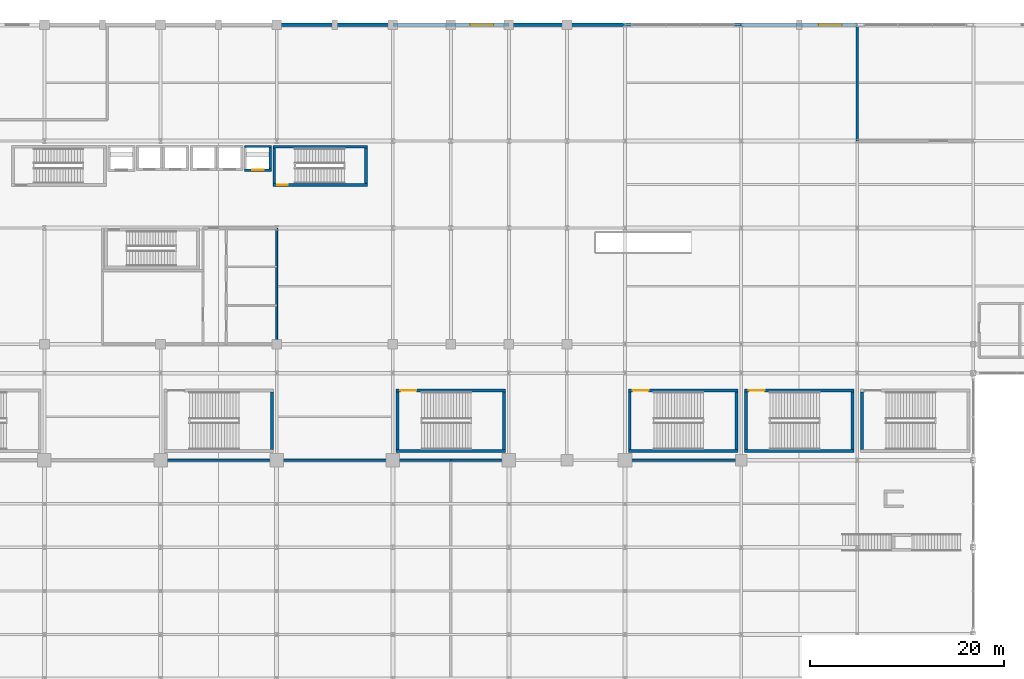
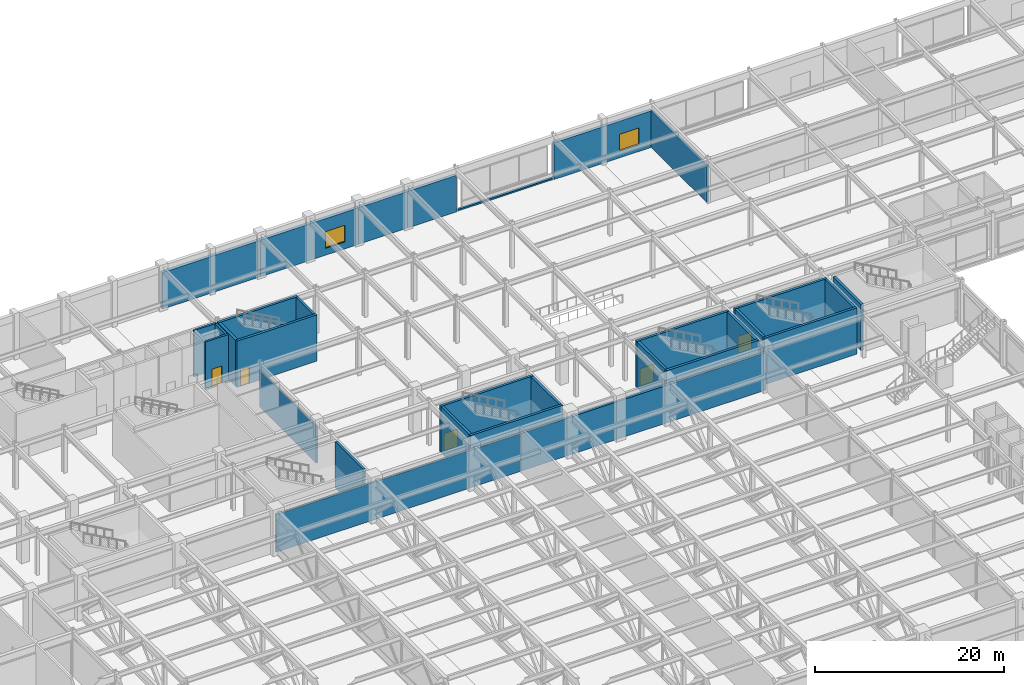
# One storey, part 94 of 108: 31 walls, 5 doors, 2 windows, 7 openings.
"""IFC4 building model written with IfcOpenShell, lengths in metres."""

from ifc_helpers import new_model, si_unit, direction, frame, frame_2d, origin, place, context, subcontext, project, spatial, rectangle, extrude, material, layer, layer_set, type_object, element, fill, save


model = new_model("IFC4")

# Units and contexts
model_context = context("Model", 3, precision=1e-05, world=origin(), true_north=direction((0.0, 1.0)))
body_context = subcontext(model_context, "Body", "Model", "MODEL_VIEW")
ifc_project = project(units=[si_unit("LENGTHUNIT", "METRE"), si_unit("AREAUNIT", "SQUARE_METRE"), si_unit("VOLUMEUNIT", "CUBIC_METRE"), si_unit("PLANEANGLEUNIT", "RADIAN"), si_unit("MASSUNIT", "GRAM", prefix="KILO")], contexts=[model_context])

# Site, building, storey
site_placement = place(None, origin())
site = spatial("IfcSite", under=ifc_project, at=site_placement, CompositionType="ELEMENT")
building_placement = place(site_placement, origin())
building = spatial("IfcBuilding", under=site, at=building_placement, Name="Kaldorvane Square Convention Centre", CompositionType="ELEMENT")
storey_placement = place(building_placement, frame((0.0, 0.0, 12.0)))
storey = spatial("IfcBuildingStorey", under=building, at=storey_placement, Name="L02", CompositionType="ELEMENT", Elevation=12.0)

# Walls
ifc_material_1 = material(Name="Reinforced Concrete Masonry Acoustic Partition", Category="masonry")
ifc_layer_1 = layer(ifc_material_1, 0.2400054931640625)
ifc_layer_set_1 = layer_set([ifc_layer_1], Name="Reinforced Concrete Masonry Acoustic Partition")
wall_type_1 = type_object("IfcWallType", Name="WL-ACO-240", PredefinedType="PARTITIONING", material=ifc_layer_set_1)
wall_1_placement = place(storey_placement, frame((126.0, 116.80999755859375, 0.0), z_axis=(0.0, 0.0, 1.0), x_axis=(0.0, -1.0, 0.0)))
element("IfcWall", 1, at=wall_1_placement, inside=storey, type_object=wall_type_1, Name="Meeting Room 209 W Wall", PredefinedType="PARTITIONING", context=body_context, shape_type="SweptSolid", body=[
    extrude(rectangle(XDim=11.80999755859375, YDim=0.2400054931640625, at=frame_2d((5.904998779296875, 0.0))), origin(), (0.0, 0.0, 1.0), 4.8000030517578125),
])
ifc_layer_2 = layer(ifc_material_1, 0.279998779296875)
ifc_layer_set_2 = layer_set([ifc_layer_2], Name="Reinforced Concrete Masonry Acoustic Partition")
wall_type_2 = type_object("IfcWallType", Name="WL-ACO-280", PredefinedType="PARTITIONING", material=ifc_layer_set_2)
for number, where, z_axis, x_axis, name in (
    (2, (84.0, 72.0, 0.0), (0.0, 0.0, 1.0), (-1.0, 0.0, 0.0), "Central Transfer Truss Interstitial Mechanical Plenum N Wall"),
    (3, (114.0, 72.0, 0.0), (0.0, 0.0, 1.0), (-1.0, 0.0, 0.0), "East Transfer Truss Interstitial Mechanical Plenum N Wall"),
):
    element("IfcWall", number, at=place(storey_placement, frame(where, z_axis=z_axis, x_axis=x_axis)), inside=storey, type_object=wall_type_2, Name=name, PredefinedType="PARTITIONING", context=body_context, shape_type="SweptSolid", body=[
        extrude(rectangle(XDim=30.0, YDim=0.279998779296875, at=frame_2d((15.0, 0.0))), origin(), (0.0, 0.0, 1.0), 4.8719940185546875),
    ])
ifc_material_2 = material(Name="Fire-Rated Gypsum Board on Acoustic Steel Studs", Category="steel")
ifc_layer_3 = layer(ifc_material_2, 0.1999969482421875)
ifc_layer_set_3 = layer_set([ifc_layer_3], Name="Fire-Rated Gypsum Board on Acoustic Steel Studs")
wall_type_3 = type_object("IfcWallType", Name="WL-CORR-200", PredefinedType="PARTITIONING", material=ifc_layer_set_3)
wall_2_placement = place(storey_placement, frame((66.0, 84.0, 0.0), z_axis=(0.0, 0.0, 1.0), x_axis=(0.0, 1.0, 0.0)))
element("IfcWall", 4, at=wall_2_placement, inside=storey, type_object=wall_type_3, Name="Restroom East Wall (L02)", PredefinedType="PARTITIONING", context=body_context, shape_type="SweptSolid", body=[
    extrude(rectangle(XDim=12.0, YDim=0.1999969482421875, at=frame_2d((6.0, 0.0))), origin(), (0.0, 0.0, 1.0), 4.8000030517578125),
])
ifc_material_3 = material(Name="Concrete f'c = 42 MPa (Normalweight)", Category="concrete")
ifc_layer_4 = layer(ifc_material_3, 0.3800048828125)
ifc_layer_set_4 = layer_set([ifc_layer_4], Name="Concrete f'c = 42 MPa (Normalweight)")
wall_type_4 = type_object("IfcWallType", Name="WL-EXT-380", PredefinedType="STANDARD", material=ifc_layer_set_4)
wall_3_placement = place(storey_placement, frame((78.0, 117.0, 0.0), z_axis=(0.0, 0.0, 1.0), x_axis=(-1.0, 0.0, 0.0)))
element("IfcWall", 5, at=wall_3_placement, inside=storey, type_object=wall_type_4, Name="North Square Brutalist Facade Wall (L02)", PredefinedType="STANDARD", context=body_context, shape_type="SweptSolid", body=[
    extrude(rectangle(XDim=12.0, YDim=0.3800048828125, at=frame_2d((6.0, 0.0))), origin(), (0.0, 0.0, 1.0), 4.746002197265625),
])

# Wall, opening, window
wall_4_placement = place(storey_placement, frame((90.0, 117.0, 0.0), z_axis=(0.0, 0.0, 1.0), x_axis=(-1.0, 0.0, 0.0)))
wall_4 = element("IfcWall", 6, at=wall_4_placement, inside=storey, type_object=wall_type_4, Name="North Square Brutalist Facade Wall (L02)", PredefinedType="STANDARD", context=body_context, shape_type="SweptSolid", body=[
    extrude(rectangle(XDim=12.0, YDim=0.3800048828125, at=frame_2d((6.0, 0.0))), origin(), (0.0, 0.0, 1.0), 4.746002197265625),
])
opening_1_placement = place(wall_4_placement, frame((1.600006103515625, 0.0, 0.899993896484375)))
opening_1 = element("IfcOpeningElement", 7, at=opening_1_placement, cuts=wall_4, Name="Opening W-19", PredefinedType="OPENING", context=body_context, shape_type="SweptSolid", body=[
    extrude(rectangle(XDim=2.399993896484375, YDim=2.149993896484375, at=frame_2d((1.1999969482421875, 1.0749969482421875))), frame((0.0, 0.2050018310546875, 0.0), z_axis=(0.0, -1.0, 0.0), x_axis=(1.0, 0.0, 0.0)), (0.0, 0.0, 1.0), 0.410003662109375),
])
ifc_material_4 = material(Name="Anodized Aluminum and Low-E Insulated Glazing", Category="aluminium")
window_type = type_object("IfcWindowType", Name="WN-POD-2400X2150", PartitioningType="DOUBLE_PANEL_VERTICAL", PredefinedType="WINDOW", material=ifc_material_4)
window_1_placement = place(opening_1_placement, origin())
window_1 = element("IfcWindow", 8, at=window_1_placement, inside=storey, type_object=window_type, Name="North Facade Window (L02)", OverallHeight=2.149993896484375, OverallWidth=2.399993896484375, PartitioningType="DOUBLE_PANEL_VERTICAL", PredefinedType="WINDOW", context=body_context, shape_type="SweptSolid", body=[
    extrude(rectangle(XDim=2.399993896484375, YDim=2.149993896484375, at=frame_2d((1.1999969482421875, 1.0749969482421875))), frame((0.0, 0.029998779296875, 0.0), z_axis=(0.0, -1.0, 0.0), x_axis=(1.0, 0.0, 0.0)), (0.0, 0.0, 1.0), 0.05999755859375),
])
fill(opening_1, window_1)

# Walls
for number, where, z_axis, x_axis, name in (
    (9, (96.0, 117.0, 0.0), (0.0, 0.0, 1.0), (-1.0, 0.0, 0.0), "North Square Brutalist Facade Wall (L02)"),
    (10, (102.0, 117.0, 0.0), (0.0, 0.0, 1.0), (-1.0, 0.0, 0.0), "North Square Brutalist Facade Wall (L02)"),
):
    element("IfcWall", number, at=place(storey_placement, frame(where, z_axis=z_axis, x_axis=x_axis)), inside=storey, type_object=wall_type_4, Name=name, PredefinedType="STANDARD", context=body_context, shape_type="SweptSolid", body=[
        extrude(rectangle(XDim=6.0, YDim=0.3800048828125, at=frame_2d((3.0, 0.0))), origin(), (0.0, 0.0, 1.0), 4.746002197265625),
    ])

# Wall, opening, window
wall_5_placement = place(storey_placement, frame((126.0, 117.0, 0.0), z_axis=(0.0, 0.0, 1.0), x_axis=(-1.0, 0.0, 0.0)))
wall_5 = element("IfcWall", 11, at=wall_5_placement, inside=storey, type_object=wall_type_4, Name="North Square Brutalist Facade Wall (L02)", PredefinedType="STANDARD", context=body_context, shape_type="SweptSolid", body=[
    extrude(rectangle(XDim=12.0, YDim=0.3800048828125, at=frame_2d((6.0, 0.0))), origin(), (0.0, 0.0, 1.0), 4.746002197265625),
])
opening_2_placement = place(wall_5_placement, frame((1.600006103515625, 0.0, 0.899993896484375)))
opening_2 = element("IfcOpeningElement", 12, at=opening_2_placement, cuts=wall_5, Name="Opening W-19", PredefinedType="OPENING", context=body_context, shape_type="SweptSolid", body=[
    extrude(rectangle(XDim=2.399993896484375, YDim=2.149993896484375, at=frame_2d((1.1999969482421875, 1.0749969482421875))), frame((0.0, 0.2050018310546875, 0.0), z_axis=(0.0, -1.0, 0.0), x_axis=(1.0, 0.0, 0.0)), (0.0, 0.0, 1.0), 0.410003662109375),
])
window_2_placement = place(opening_2_placement, origin())
window_2 = element("IfcWindow", 13, at=window_2_placement, inside=storey, type_object=window_type, Name="North Facade Window (L02)", OverallHeight=2.149993896484375, OverallWidth=2.399993896484375, PartitioningType="DOUBLE_PANEL_VERTICAL", PredefinedType="WINDOW", context=body_context, shape_type="SweptSolid", body=[
    extrude(rectangle(XDim=2.399993896484375, YDim=2.149993896484375, at=frame_2d((1.1999969482421875, 1.0749969482421875))), frame((0.0, 0.029998779296875, 0.0), z_axis=(0.0, -1.0, 0.0), x_axis=(1.0, 0.0, 0.0)), (0.0, 0.0, 1.0), 0.05999755859375),
])
fill(opening_2, window_2)

# Wall
ifc_material_5 = material(Name="Concrete f'c = 35 MPa (Normalweight)", Category="concrete")
ifc_layer_5 = layer(ifc_material_5, 0.279998779296875)
ifc_layer_set_5 = layer_set([ifc_layer_5], Name="Concrete f'c = 35 MPa (Normalweight)")
wall_type_5 = type_object("IfcWallType", Name="WL-PAR-280", PredefinedType="PARAPET", material=ifc_layer_set_5)
wall_6_placement = place(storey_placement, frame((114.0, 117.0, 0.0), z_axis=(0.0, 0.0, 1.0), x_axis=(-1.0, 0.0, 0.0)))
element("IfcWall", 14, at=wall_6_placement, inside=storey, type_object=wall_type_5, Name="North Curtain-Wall Sill Kerb (L02)", PredefinedType="PARAPET", context=body_context, shape_type="SweptSolid", body=[
    extrude(rectangle(XDim=12.0, YDim=0.279998779296875, at=frame_2d((6.0, 0.0))), origin(), (0.0, 0.0, 1.0), 0.1999969482421875),
])

# Wall, opening, door
ifc_material_6 = material(Name="Concrete f'c = 55 MPa (Normalweight)", Category="concrete")
ifc_layer_6 = layer(ifc_material_6, 0.3000030517578125)
ifc_layer_set_6 = layer_set([ifc_layer_6], Name="Concrete f'c = 55 MPa (Normalweight)")
wall_type_6 = type_object("IfcWallType", Name="WL-SHAFT-300", PredefinedType="SHEAR", material=ifc_layer_set_6)
wall_7_placement = place(storey_placement, frame((65.60000610351562, 100.46000671386719, 0.0), z_axis=(0.0, 0.0, 1.0), x_axis=(1.0, 0.0, 0.0)))
wall_7 = element("IfcWall", 15, at=wall_7_placement, inside=storey, type_object=wall_type_6, Name="Core Enclosure Wall stair:ST-T2-S (L02)", PredefinedType="SHEAR", context=body_context, shape_type="SweptSolid", body=[
    extrude(rectangle(XDim=9.79998779296875, YDim=0.3000030517578125, at=frame_2d((4.899993896484375, 0.0))), origin(), (0.0, 0.0, 1.0), 6.0),
])
opening_3_placement = place(wall_7_placement, frame((0.4499969482421875, 0.0, 0.0)))
opening_3 = element("IfcOpeningElement", 16, at=opening_3_placement, cuts=wall_7, Name="Opening FD90-S1", PredefinedType="OPENING", context=body_context, shape_type="SweptSolid", body=[
    extrude(rectangle(XDim=1.100006103515625, YDim=2.1999969482421875, at=frame_2d((0.5500030517578125, 1.100006103515625))), frame((0.0, 0.165008544921875, 0.0), z_axis=(0.0, -1.0, 0.0), x_axis=(1.0, 0.0, 0.0)), (0.0, 0.0, 1.0), 0.3300018310546875),
])
ifc_material_7 = material(Name="Fire-Rated Hollow Metal Steel", Category="steel")
door_type_1 = type_object("IfcDoorType", Name="DR-STAIR-1100", OperationType="SINGLE_SWING_RIGHT", PredefinedType="DOOR", material=ifc_material_7)
door_1_placement = place(opening_3_placement, origin())
door_1 = element("IfcDoor", 17, at=door_1_placement, inside=storey, type_object=door_type_1, Name="Tower Exit Stair T2 Fire Door (L02)", OperationType="SINGLE_SWING_RIGHT", OverallHeight=2.1999969482421875, OverallWidth=1.100006103515625, PredefinedType="DOOR", context=body_context, shape_type="SweptSolid", body=[
    extrude(rectangle(XDim=1.100006103515625, YDim=2.1999969482421875, at=frame_2d((0.5500030517578125, 1.100006103515625))), frame((0.0, 0.024993896484375, 0.0), z_axis=(0.0, -1.0, 0.0), x_axis=(1.0, 0.0, 0.0)), (0.0, 0.0, 1.0), 0.0500030517578125),
])
fill(opening_3, door_1)

# Walls
wall_8_placement = place(storey_placement, frame((75.39999389648438, 104.39999389648438, 0.0), z_axis=(0.0, 0.0, 1.0), x_axis=(-1.0, 0.0, 0.0)))
element("IfcWall", 18, at=wall_8_placement, inside=storey, type_object=wall_type_6, Name="Core Enclosure Wall stair:ST-T2-N (L02)", PredefinedType="SHEAR", context=body_context, shape_type="SweptSolid", body=[
    extrude(rectangle(XDim=9.79998779296875, YDim=0.3000030517578125, at=frame_2d((4.899993896484375, 0.0))), origin(), (0.0, 0.0, 1.0), 6.0),
])
for number, where, z_axis, x_axis, name in (
    (19, (65.75, 104.25, 0.0), (0.0, 0.0, 1.0), (0.0, -1.0, 0.0), "Core Enclosure Wall stair:ST-T2-W (L02)"),
    (20, (75.25, 100.61000061035156, 0.0), (0.0, 0.0, 1.0), (0.0, 1.0, 0.0), "Core Enclosure Wall stair:ST-T2-E (L02)"),
):
    element("IfcWall", number, at=place(storey_placement, frame(where, z_axis=z_axis, x_axis=x_axis)), inside=storey, type_object=wall_type_6, Name=name, PredefinedType="SHEAR", context=body_context, shape_type="SweptSolid", body=[
        extrude(rectangle(XDim=3.6399993896484375, YDim=0.3000030517578125, at=frame_2d((1.82000732421875, 0.0))), origin(), (0.0, 0.0, 1.0), 6.0),
    ])
wall_9_placement = place(storey_placement, frame((65.50999450683594, 73.10000610351562, 0.0), z_axis=(0.0, 0.0, 1.0), x_axis=(0.0, 1.0, 0.0)))
element("IfcWall", 21, at=wall_9_placement, inside=storey, type_object=wall_type_6, Name="Core Enclosure Wall stair:ST-C14-E (L02)", PredefinedType="SHEAR", context=body_context, shape_type="SweptSolid", body=[
    extrude(rectangle(XDim=5.959991455078125, YDim=0.3000030517578125, at=frame_2d((2.9799957275390625, 0.0))), origin(), (0.0, 0.0, 1.0), 6.0),
])
wall_10_placement = place(storey_placement, frame((78.33999633789062, 72.94999694824219, 0.0), z_axis=(0.0, 0.0, 1.0), x_axis=(1.0, 0.0, 0.0)))
element("IfcWall", 22, at=wall_10_placement, inside=storey, type_object=wall_type_6, Name="Core Enclosure Wall stair:ST-C15-S (L02)", PredefinedType="SHEAR", context=body_context, shape_type="SweptSolid", body=[
    extrude(rectangle(XDim=11.32000732421875, YDim=0.3000030517578125, at=frame_2d((5.660003662109375, 0.0))), origin(), (0.0, 0.0, 1.0), 6.0),
])

# Wall, opening, door
wall_11_placement = place(storey_placement, frame((89.66000366210938, 79.21000671386719, 0.0), z_axis=(0.0, 0.0, 1.0), x_axis=(-1.0, 0.0, 0.0)))
wall_11 = element("IfcWall", 23, at=wall_11_placement, inside=storey, type_object=wall_type_6, Name="Core Enclosure Wall stair:ST-C15-N (L02)", PredefinedType="SHEAR", context=body_context, shape_type="SweptSolid", body=[
    extrude(rectangle(XDim=11.32000732421875, YDim=0.3000030517578125, at=frame_2d((5.660003662109375, 0.0))), origin(), (0.0, 0.0, 1.0), 6.0),
])
opening_4_placement = place(wall_11_placement, frame((9.220001220703125, 0.0, 0.0)))
opening_4 = element("IfcOpeningElement", 24, at=opening_4_placement, cuts=wall_11, Name="Opening FD90-S2", PredefinedType="OPENING", context=body_context, shape_type="SweptSolid", body=[
    extrude(rectangle(XDim=1.649993896484375, YDim=2.25, at=frame_2d((0.8249969482421875, 1.125))), frame((0.0, 0.165008544921875, 0.0), z_axis=(0.0, -1.0, 0.0), x_axis=(1.0, 0.0, 0.0)), (0.0, 0.0, 1.0), 0.3300018310546875),
])
door_type_2 = type_object("IfcDoorType", Name="DR-STAIR-1650", OperationType="DOUBLE_DOOR_SINGLE_SWING", PredefinedType="DOOR", material=ifc_material_7)
door_2_placement = place(opening_4_placement, origin())
door_2 = element("IfcDoor", 25, at=door_2_placement, inside=storey, type_object=door_type_2, Name="Convention Exit Stair C15 Fire Door (L02)", OperationType="DOUBLE_DOOR_SINGLE_SWING", OverallHeight=2.25, OverallWidth=1.649993896484375, PredefinedType="DOOR", context=body_context, shape_type="SweptSolid", body=[
    extrude(rectangle(XDim=1.649993896484375, YDim=2.25, at=frame_2d((0.8249969482421875, 1.125))), frame((0.0, 0.024993896484375, 0.0), z_axis=(0.0, -1.0, 0.0), x_axis=(1.0, 0.0, 0.0)), (0.0, 0.0, 1.0), 0.0500030517578125),
])
fill(opening_4, door_2)

# Walls
for number, where, z_axis, x_axis, name in (
    (26, (78.49000549316406, 79.05999755859375, 0.0), (0.0, 0.0, 1.0), (0.0, -1.0, 0.0), "Core Enclosure Wall stair:ST-C15-W (L02)"),
    (27, (89.50999450683594, 73.10000610351562, 0.0), (0.0, 0.0, 1.0), (0.0, 1.0, 0.0), "Core Enclosure Wall stair:ST-C15-E (L02)"),
):
    element("IfcWall", number, at=place(storey_placement, frame(where, z_axis=z_axis, x_axis=x_axis)), inside=storey, type_object=wall_type_6, Name=name, PredefinedType="SHEAR", context=body_context, shape_type="SweptSolid", body=[
        extrude(rectangle(XDim=5.959991455078125, YDim=0.3000030517578125, at=frame_2d((2.9799957275390625, 0.0))), origin(), (0.0, 0.0, 1.0), 6.0),
    ])
wall_12_placement = place(storey_placement, frame((102.33999633789062, 72.94999694824219, 0.0), z_axis=(0.0, 0.0, 1.0), x_axis=(1.0, 0.0, 0.0)))
element("IfcWall", 28, at=wall_12_placement, inside=storey, type_object=wall_type_6, Name="Core Enclosure Wall stair:ST-C16-S (L02)", PredefinedType="SHEAR", context=body_context, shape_type="SweptSolid", body=[
    extrude(rectangle(XDim=11.32000732421875, YDim=0.3000030517578125, at=frame_2d((5.660003662109375, 0.0))), origin(), (0.0, 0.0, 1.0), 6.0),
])

# Wall, opening, door
wall_13_placement = place(storey_placement, frame((113.66000366210938, 79.21000671386719, 0.0), z_axis=(0.0, 0.0, 1.0), x_axis=(-1.0, 0.0, 0.0)))
wall_13 = element("IfcWall", 29, at=wall_13_placement, inside=storey, type_object=wall_type_6, Name="Core Enclosure Wall stair:ST-C16-N (L02)", PredefinedType="SHEAR", context=body_context, shape_type="SweptSolid", body=[
    extrude(rectangle(XDim=11.32000732421875, YDim=0.3000030517578125, at=frame_2d((5.660003662109375, 0.0))), origin(), (0.0, 0.0, 1.0), 6.0),
])
opening_5_placement = place(wall_13_placement, frame((9.220001220703125, 0.0, 0.0)))
opening_5 = element("IfcOpeningElement", 30, at=opening_5_placement, cuts=wall_13, Name="Opening FD90-S2", PredefinedType="OPENING", context=body_context, shape_type="SweptSolid", body=[
    extrude(rectangle(XDim=1.649993896484375, YDim=2.25, at=frame_2d((0.8249969482421875, 1.125))), frame((0.0, 0.165008544921875, 0.0), z_axis=(0.0, -1.0, 0.0), x_axis=(1.0, 0.0, 0.0)), (0.0, 0.0, 1.0), 0.3300018310546875),
])
door_3_placement = place(opening_5_placement, origin())
door_3 = element("IfcDoor", 31, at=door_3_placement, inside=storey, type_object=door_type_2, Name="Convention Exit Stair C16 Fire Door (L02)", OperationType="DOUBLE_DOOR_SINGLE_SWING", OverallHeight=2.25, OverallWidth=1.649993896484375, PredefinedType="DOOR", context=body_context, shape_type="SweptSolid", body=[
    extrude(rectangle(XDim=1.649993896484375, YDim=2.25, at=frame_2d((0.8249969482421875, 1.125))), frame((0.0, 0.024993896484375, 0.0), z_axis=(0.0, -1.0, 0.0), x_axis=(1.0, 0.0, 0.0)), (0.0, 0.0, 1.0), 0.0500030517578125),
])
fill(opening_5, door_3)

# Walls
for number, where, z_axis, x_axis, name in (
    (32, (102.49000549316406, 79.05999755859375, 0.0), (0.0, 0.0, 1.0), (0.0, -1.0, 0.0), "Core Enclosure Wall stair:ST-C16-W (L02)"),
    (33, (113.50999450683594, 73.10000610351562, 0.0), (0.0, 0.0, 1.0), (0.0, 1.0, 0.0), "Core Enclosure Wall stair:ST-C16-E (L02)"),
):
    element("IfcWall", number, at=place(storey_placement, frame(where, z_axis=z_axis, x_axis=x_axis)), inside=storey, type_object=wall_type_6, Name=name, PredefinedType="SHEAR", context=body_context, shape_type="SweptSolid", body=[
        extrude(rectangle(XDim=5.959991455078125, YDim=0.3000030517578125, at=frame_2d((2.9799957275390625, 0.0))), origin(), (0.0, 0.0, 1.0), 6.0),
    ])
wall_14_placement = place(storey_placement, frame((114.33999633789062, 72.94999694824219, 0.0), z_axis=(0.0, 0.0, 1.0), x_axis=(1.0, 0.0, 0.0)))
element("IfcWall", 34, at=wall_14_placement, inside=storey, type_object=wall_type_6, Name="Core Enclosure Wall stair:ST-C17-S (L02)", PredefinedType="SHEAR", context=body_context, shape_type="SweptSolid", body=[
    extrude(rectangle(XDim=11.32000732421875, YDim=0.3000030517578125, at=frame_2d((5.660003662109375, 0.0))), origin(), (0.0, 0.0, 1.0), 6.0),
])

# Wall, opening, door
wall_15_placement = place(storey_placement, frame((125.66000366210938, 79.21000671386719, 0.0), z_axis=(0.0, 0.0, 1.0), x_axis=(-1.0, 0.0, 0.0)))
wall_15 = element("IfcWall", 35, at=wall_15_placement, inside=storey, type_object=wall_type_6, Name="Core Enclosure Wall stair:ST-C17-N (L02)", PredefinedType="SHEAR", context=body_context, shape_type="SweptSolid", body=[
    extrude(rectangle(XDim=11.32000732421875, YDim=0.3000030517578125, at=frame_2d((5.660003662109375, 0.0))), origin(), (0.0, 0.0, 1.0), 6.0),
])
opening_6_placement = place(wall_15_placement, frame((9.220001220703125, 0.0, 0.0)))
opening_6 = element("IfcOpeningElement", 36, at=opening_6_placement, cuts=wall_15, Name="Opening FD90-S2", PredefinedType="OPENING", context=body_context, shape_type="SweptSolid", body=[
    extrude(rectangle(XDim=1.649993896484375, YDim=2.25, at=frame_2d((0.8249969482421875, 1.125))), frame((0.0, 0.165008544921875, 0.0), z_axis=(0.0, -1.0, 0.0), x_axis=(1.0, 0.0, 0.0)), (0.0, 0.0, 1.0), 0.3300018310546875),
])
door_4_placement = place(opening_6_placement, origin())
door_4 = element("IfcDoor", 37, at=door_4_placement, inside=storey, type_object=door_type_2, Name="Convention Exit Stair C17 Fire Door (L02)", OperationType="DOUBLE_DOOR_SINGLE_SWING", OverallHeight=2.25, OverallWidth=1.649993896484375, PredefinedType="DOOR", context=body_context, shape_type="SweptSolid", body=[
    extrude(rectangle(XDim=1.649993896484375, YDim=2.25, at=frame_2d((0.8249969482421875, 1.125))), frame((0.0, 0.024993896484375, 0.0), z_axis=(0.0, -1.0, 0.0), x_axis=(1.0, 0.0, 0.0)), (0.0, 0.0, 1.0), 0.0500030517578125),
])
fill(opening_6, door_4)

# Walls
for number, where, z_axis, x_axis, name in (
    (38, (114.49000549316406, 79.05999755859375, 0.0), (0.0, 0.0, 1.0), (0.0, -1.0, 0.0), "Core Enclosure Wall stair:ST-C17-W (L02)"),
    (39, (125.50999450683594, 73.10000610351562, 0.0), (0.0, 0.0, 1.0), (0.0, 1.0, 0.0), "Core Enclosure Wall stair:ST-C17-E (L02)"),
    (40, (126.49000549316406, 79.05999755859375, 0.0), (0.0, 0.0, 1.0), (0.0, -1.0, 0.0), "Core Enclosure Wall stair:ST-C18-W (L02)"),
):
    element("IfcWall", number, at=place(storey_placement, frame(where, z_axis=z_axis, x_axis=x_axis)), inside=storey, type_object=wall_type_6, Name=name, PredefinedType="SHEAR", context=body_context, shape_type="SweptSolid", body=[
        extrude(rectangle(XDim=5.959991455078125, YDim=0.3000030517578125, at=frame_2d((2.9799957275390625, 0.0))), origin(), (0.0, 0.0, 1.0), 6.0),
    ])

# Wall, opening, door
wall_16_placement = place(storey_placement, frame((62.649993896484375, 101.97500610351562, 0.0), z_axis=(0.0, 0.0, 1.0), x_axis=(1.0, 0.0, 0.0)))
wall_16 = element("IfcWall", 41, at=wall_16_placement, inside=storey, type_object=wall_type_6, Name="Core Enclosure Wall lift:FSAE-02-S (L02)", PredefinedType="SHEAR", context=body_context, shape_type="SweptSolid", body=[
    extrude(rectangle(XDim=2.8000030517578125, YDim=0.25, at=frame_2d((1.399993896484375, 0.0))), origin(), (0.0, 0.0, 1.0), 6.0),
])
opening_7_placement = place(wall_16_placement, frame((0.8000030517578125, 0.0, 0.0)))
opening_7 = element("IfcOpeningElement", 42, at=opening_7_placement, cuts=wall_16, Name="Opening LD-02", PredefinedType="OPENING", context=body_context, shape_type="SweptSolid", body=[
    extrude(rectangle(XDim=1.1999969482421875, YDim=2.1999969482421875, at=frame_2d((0.600006103515625, 1.100006103515625))), frame((0.0, 0.1399993896484375, 0.0), z_axis=(0.0, -1.0, 0.0), x_axis=(1.0, 0.0, 0.0)), (0.0, 0.0, 1.0), 0.279998779296875),
])
ifc_material_8 = material(Name="Stainless Steel Elevator Door Assembly", Category="steel")
door_type_3 = type_object("IfcDoorType", Name="DR-LIFT-1200", OperationType="DOUBLE_DOOR_SLIDING", PredefinedType="DOOR", material=ifc_material_8)
door_5_placement = place(opening_7_placement, origin())
door_5 = element("IfcDoor", 43, at=door_5_placement, inside=storey, type_object=door_type_3, Name="Elevator Landing Door FSAE-02 (L02)", OperationType="DOUBLE_DOOR_SLIDING", OverallHeight=2.1999969482421875, OverallWidth=1.1999969482421875, PredefinedType="DOOR", context=body_context, shape_type="SweptSolid", body=[
    extrude(rectangle(XDim=1.1999969482421875, YDim=2.1999969482421875, at=frame_2d((0.600006103515625, 1.100006103515625))), frame((0.0, 0.024993896484375, 0.0), z_axis=(0.0, -1.0, 0.0), x_axis=(1.0, 0.0, 0.0)), (0.0, 0.0, 1.0), 0.0500030517578125),
])
fill(opening_7, door_5)

# Walls
wall_17_placement = place(storey_placement, frame((65.44999694824219, 104.42500305175781, 0.0), z_axis=(0.0, 0.0, 1.0), x_axis=(-1.0, 0.0, 0.0)))
element("IfcWall", 44, at=wall_17_placement, inside=storey, type_object=wall_type_6, Name="Core Enclosure Wall lift:FSAE-02-N (L02)", PredefinedType="SHEAR", context=body_context, shape_type="SweptSolid", body=[
    extrude(rectangle(XDim=2.8000030517578125, YDim=0.25, at=frame_2d((1.399993896484375, 0.0))), origin(), (0.0, 0.0, 1.0), 6.0),
])
wall_18_placement = place(storey_placement, frame((65.32499694824219, 102.10000610351562, 0.0), z_axis=(0.0, 0.0, 1.0), x_axis=(0.0, 1.0, 0.0)))
element("IfcWall", 45, at=wall_18_placement, inside=storey, type_object=wall_type_6, Name="Core Enclosure Wall lift:FSAE-02-E (L02)", PredefinedType="SHEAR", context=body_context, shape_type="SweptSolid", body=[
    extrude(rectangle(XDim=2.1999969482421875, YDim=0.25, at=frame_2d((1.100006103515625, 0.0))), origin(), (0.0, 0.0, 1.0), 6.0),
])

save(model, "model.ifc")
